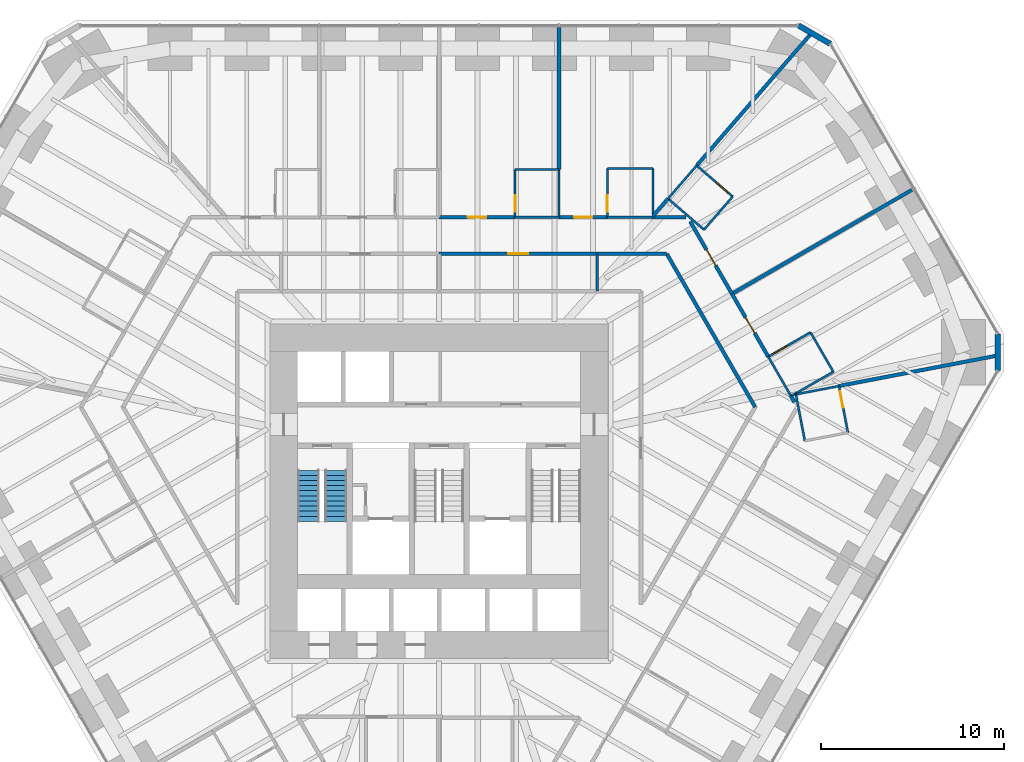
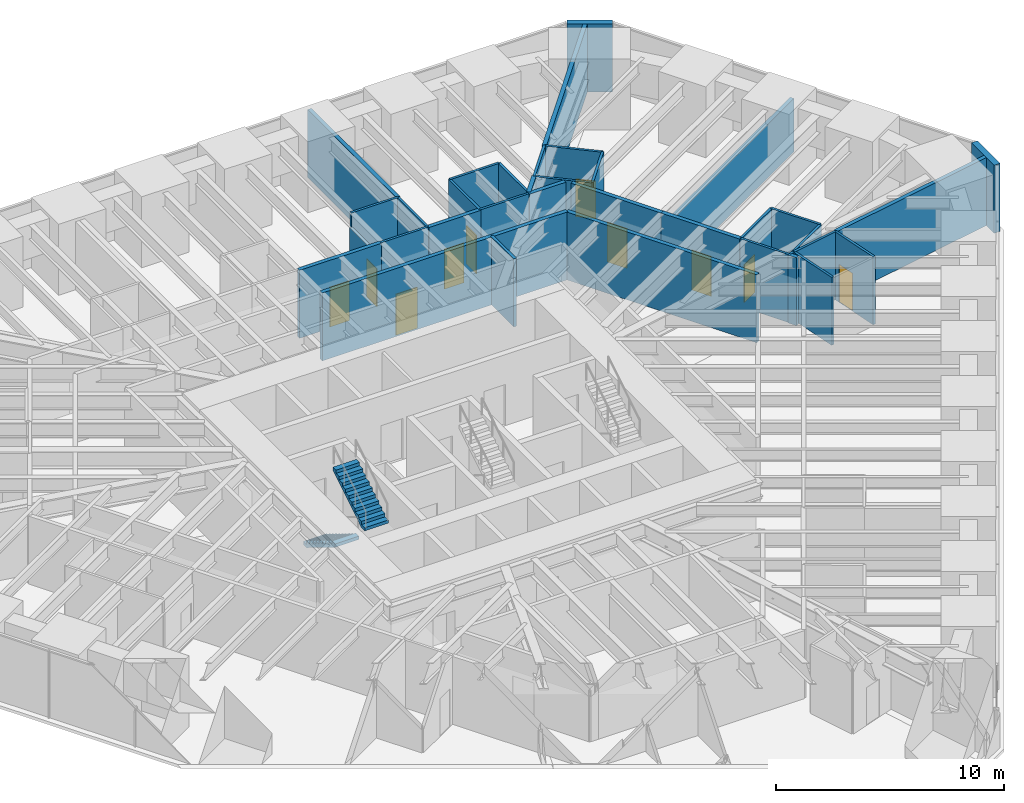
# One storey, part 15 of 17: 37 walls, 10 doors, 2 stair flights, 10 openings, 1 element without a shape of its own.
"""IFC4 building model written with IfcOpenShell, lengths in metres."""

import ifcopenshell
import ifcopenshell.guid

model = None  # the IFC model being written
_history = None  # IfcOwnerHistory: only IFC2X3 demands one
_inside = {}  # id of a spatial element -> (the spatial element, [elements in it])
_under = {}  # id of a project, library or spatial element -> (it, [spatial elements below it])
_declared = {}  # id of a project -> (the project, [libraries it declares])
_typed = {}  # id of a type object -> (the type object, [elements of that type])
_made_of = {}  # id of a material, layer set ... -> (it, [elements and type objects made of it])


def new_model(schema):
    """Start an empty IFC model of exactly this schema.

    Asked for "IFC4X3", IfcOpenShell would pick the latest addendum, in which some entities
    have other attributes; the version numbers below select the first issue.
    IFC2X3 requires an IfcOwnerHistory on every rooted entity: one is made here for all.
    """
    global model, _history
    if schema == "IFC4X3":
        model = ifcopenshell.file(schema_version=(4, 3, 0, 0))
    else:
        model = ifcopenshell.file(schema=schema)
    _inside.clear()
    _under.clear()
    _declared.clear()
    _typed.clear()
    _made_of.clear()
    _history = None
    if model.schema == "IFC2X3":
        org = make("IfcOrganization", Name="unknown")
        user = make(
            "IfcPersonAndOrganization",
            ThePerson=make("IfcPerson", FamilyName="unknown"),
            TheOrganization=org,
        )
        app = make(
            "IfcApplication",
            ApplicationDeveloper=org,
            Version="unknown",
            ApplicationFullName="unknown",
            ApplicationIdentifier="unknown",
        )
        _history = make(
            "IfcOwnerHistory",
            OwningUser=user,
            OwningApplication=app,
            ChangeAction="ADDED",
            CreationDate=0,
        )
    return model


def make(cls, **values):
    """One entity of the class cls with the attributes given. An attribute that is None is left unset."""
    return model.create_entity(
        cls, **{name: value for name, value in values.items() if value is not None}
    )


def rooted(cls, **values):
    """An entity with a GlobalId (a new one), such as an element, a storey or a relation."""
    return make(cls, GlobalId=ifcopenshell.guid.new(), OwnerHistory=_history, **values)


def si_unit(unit_type, name, prefix=None):
    """IfcSIUnit, for example si_unit("LENGTHUNIT", "METRE", prefix="MILLI")."""
    return make("IfcSIUnit", UnitType=unit_type, Prefix=prefix, Name=name)


def assignment(units):
    """IfcUnitAssignment: the units of a project."""
    return None if units is None else make("IfcUnitAssignment", Units=units)


def point(xyz):
    """IfcCartesianPoint."""
    return None if xyz is None else make("IfcCartesianPoint", Coordinates=xyz)


def direction(xyz):
    """IfcDirection."""
    return None if xyz is None else make("IfcDirection", DirectionRatios=xyz)


def frame(location, z_axis=None, x_axis=None):
    """IfcAxis2Placement3D, a coordinate frame: its origin and axes. An axis left out is left unset."""
    return make(
        "IfcAxis2Placement3D",
        Location=point(location),
        Axis=direction(z_axis),
        RefDirection=direction(x_axis),
    )


def frame_2d(location, x_axis=None):
    """IfcAxis2Placement2D, a coordinate frame in the plane: its origin and x axis."""
    return make(
        "IfcAxis2Placement2D", Location=point(location), RefDirection=direction(x_axis)
    )


def origin():
    """The frame at (0, 0, 0) with its axes left unset."""
    return frame((0.0, 0.0, 0.0))


def place(relative_to, where):
    """IfcLocalPlacement: puts the frame where relative to a parent placement (None: the world)."""
    return make(
        "IfcLocalPlacement", PlacementRelTo=relative_to, RelativePlacement=where
    )


def context(
    kind, dimensions, precision=None, world=None, true_north=None, identifier=None
):
    """IfcGeometricRepresentationContext, for example the 3D "Model" context."""
    return make(
        "IfcGeometricRepresentationContext",
        ContextIdentifier=identifier,
        ContextType=kind,
        CoordinateSpaceDimension=dimensions,
        Precision=precision,
        WorldCoordinateSystem=world,
        TrueNorth=true_north,
    )


def subcontext(parent, identifier, kind, view, scale=None):
    """IfcGeometricRepresentationSubContext, for example "Body" below "Model"."""
    return make(
        "IfcGeometricRepresentationSubContext",
        ContextIdentifier=identifier,
        ContextType=kind,
        ParentContext=parent,
        TargetScale=scale,
        TargetView=view,
    )


def project(units=None, contexts=None):
    """IfcProject with its units and contexts."""
    return rooted(
        "IfcProject",
        Name="project",
        RepresentationContexts=contexts,
        UnitsInContext=assignment(units),
    )


def spatial(cls, under=None, at=None, **own):
    """A site, building, storey or space (cls), placed at a placement, below another one or the project."""
    s = rooted(cls, ObjectPlacement=at, **own)
    if under is not None:
        _under.setdefault(under.id(), (under, []))[1].append(s)
    return s


def polyline(points):
    """IfcPolyline through the points."""
    return make("IfcPolyline", Points=[point(p) for p in points])


def profile(cls, at=None, kind="AREA", **sizes):
    """A parametric profile (cls). Its sizes go by their IFC names, for example OverallWidth=200.0."""
    return make(cls, ProfileType=kind, Position=at, **sizes)


def rectangle(**sizes):
    """IfcRectangleProfileDef."""
    return profile("IfcRectangleProfileDef", **sizes)


def outline(outer, holes=None, kind="AREA"):
    """IfcArbitraryClosedProfileDef: a profile drawn as a closed curve; with holes, ...WithVoids."""
    if holes is None:
        return make("IfcArbitraryClosedProfileDef", ProfileType=kind, OuterCurve=outer)
    return make(
        "IfcArbitraryProfileDefWithVoids",
        ProfileType=kind,
        OuterCurve=outer,
        InnerCurves=holes,
    )


def extrude(swept, where, along, depth):
    """IfcExtrudedAreaSolid: the profile swept, set in the frame where, extruded along a direction by depth."""
    return make(
        "IfcExtrudedAreaSolid",
        SweptArea=swept,
        Position=where,
        ExtrudedDirection=direction(along),
        Depth=depth,
    )


def shape(context_of_items, identifier, shape_type, items):
    """IfcShapeRepresentation: the items that make up one representation, for example the "Body"."""
    return make(
        "IfcShapeRepresentation",
        ContextOfItems=context_of_items,
        RepresentationIdentifier=identifier,
        RepresentationType=shape_type,
        Items=items,
    )


def material(Name=None, Category=None):
    """IfcMaterial."""
    return make("IfcMaterial", Name=Name, Category=Category)


def layer(
    of_material, thickness, ventilated=None, Name=None, Category=None, Priority=None
):
    """IfcMaterialLayer: one layer of a wall or slab, of a material (None: an air gap)."""
    return make(
        "IfcMaterialLayer",
        Material=of_material,
        LayerThickness=thickness,
        IsVentilated=ventilated,
        Name=Name,
        Category=Category,
        Priority=Priority,
    )


def layer_set(layers, Name=None):
    """IfcMaterialLayerSet."""
    return make("IfcMaterialLayerSet", MaterialLayers=layers, LayerSetName=Name)


def made_of(thing, what):
    """Note that an element or type object is made of a material, layer set ...; save() writes the relation."""
    if what is not None:
        _made_of.setdefault(what.id(), (what, []))[1].append(thing)
    return thing


def type_object(cls, material=None, **own):
    """A type object (cls), such as IfcWallType, which elements share."""
    return made_of(rooted(cls, **own), material)


def element(
    cls,
    number,
    at=None,
    inside=None,
    cuts=None,
    type_object=None,
    material=None,
    context=None,
    identifier="Body",
    shape_type=None,
    held_by="IfcProductDefinitionShape",
    body=None,
    shapes=None,
    **own,
):
    """One element of the class cls, such as IfcWall. Its Tag is "e" and its number.

    at: its placement. inside: the storey or other place that contains it. cuts: it is an
    opening in that element (IfcRelVoidsElement). A single representation is given by context,
    identifier, shape_type and body (its items); several are given by shapes. held_by: the class
    of the entity that holds the representations. save() writes the other relations.
    """
    e = rooted(cls, Tag="e%d" % number, ObjectPlacement=at, **own)
    if body is not None:
        shapes = [shape(context, identifier, shape_type, body)]
    if shapes is not None:
        e.Representation = make(held_by, Representations=shapes)
    if inside is not None:
        _inside.setdefault(inside.id(), (inside, []))[1].append(e)
    if cuts is not None:
        rooted(
            "IfcRelVoidsElement", RelatingBuildingElement=cuts, RelatedOpeningElement=e
        )
    if type_object is not None:
        _typed.setdefault(type_object.id(), (type_object, []))[1].append(e)
    return made_of(e, material)


def fill(opening, filler):
    """IfcRelFillsElement: the door or window that sits in an opening."""
    return rooted(
        "IfcRelFillsElement",
        RelatingOpeningElement=opening,
        RelatedBuildingElement=filler,
    )


def aggregate(whole, parts):
    """IfcRelAggregates: a whole, such as a stair, and the parts it consists of."""
    return rooted("IfcRelAggregates", RelatingObject=whole, RelatedObjects=parts)


def save(model, path):
    """Write the relations noted so far, then the file.

    IfcRelAggregates (storeys below a building ...), IfcRelContainedInSpatialStructure (elements
    in a storey), IfcRelDefinesByType, IfcRelAssociatesMaterial and IfcRelDeclares: one each for
    every whole, place, type object, material and project.
    """
    for whole, parts in _under.values():
        aggregate(whole, parts)
    for where, things in _inside.values():
        rooted(
            "IfcRelContainedInSpatialStructure",
            RelatedElements=things,
            RelatingStructure=where,
        )
    for kind, things in _typed.values():
        rooted("IfcRelDefinesByType", RelatedObjects=things, RelatingType=kind)
    for what, things in _made_of.values():
        rooted("IfcRelAssociatesMaterial", RelatedObjects=things, RelatingMaterial=what)
    for by, libraries in _declared.values():
        rooted("IfcRelDeclares", RelatingContext=by, RelatedDefinitions=libraries)
    model.write(path)


model = new_model("IFC4")

# Units and contexts
model_context = context("Model", 3, precision=1e-05, world=origin(), true_north=direction((0.0, 1.0)))
body_context = subcontext(model_context, "Body", "Model", "MODEL_VIEW")
ifc_project = project(units=[si_unit("LENGTHUNIT", "METRE"), si_unit("AREAUNIT", "SQUARE_METRE"), si_unit("VOLUMEUNIT", "CUBIC_METRE"), si_unit("PLANEANGLEUNIT", "RADIAN"), si_unit("MASSUNIT", "GRAM", prefix="KILO")], contexts=[model_context])

# Site, building, storey
site_placement = place(None, origin())
site = spatial("IfcSite", under=ifc_project, at=site_placement, CompositionType="ELEMENT")
building_placement = place(site_placement, origin())
building = spatial("IfcBuilding", under=site, at=building_placement, Name="Sandreach Pilgrim Tower", CompositionType="ELEMENT")
storey_placement = place(building_placement, frame((0.0, 0.0, 42.0)))
storey = spatial("IfcBuildingStorey", under=building, at=storey_placement, Name="L09", CompositionType="ELEMENT", Elevation=42.0)

# Wall
ifc_material_1 = material(Name="Gypsum board on steel studs", Category="steel")
ifc_layer_1 = layer(ifc_material_1, 0.14990234375)
ifc_layer_set_1 = layer_set([ifc_layer_1], Name="Back of house wall 150")
wall_type_1 = type_object("IfcWallType", Name="Back of house wall 150", PredefinedType="PARTITIONING", material=ifc_layer_set_1)
wall_1_placement = place(storey_placement, frame((8.64990234375, 11.449951171875, 0.0), z_axis=(0.0, 0.0, 1.0), x_axis=(0.0, -1.0, 0.0)))
element("IfcWall", 1, at=wall_1_placement, inside=storey, type_object=wall_type_1, Name="Back of house wall L09-094", PredefinedType="PARTITIONING", context=body_context, shape_type="SweptSolid", body=[
    extrude(rectangle(XDim=2.050048828125, YDim=0.14990234375, at=frame_2d((1.02490234375, 0.0))), origin(), (0.0, 0.0, 1.0), 3.639892578125),
])

# Wall, opening, door
ifc_material_2 = material(Name="Moisture-resistant gypsum board on steel studs", Category="steel")
ifc_layer_2 = layer(ifc_material_2, 0.1201171875)
ifc_layer_set_2 = layer_set([ifc_layer_2], Name="Bathroom partition 120")
wall_type_2 = type_object("IfcWallType", Name="Bathroom partition 120", PredefinedType="PARTITIONING", material=ifc_layer_set_2)
wall_2_placement = place(storey_placement, frame((4.159912109375, 16.070068359375, 0.0), z_axis=(0.0, 0.0, 1.0), x_axis=(0.0, -1.0, 0.0)))
wall_2 = element("IfcWall", 2, at=wall_2_placement, inside=storey, type_object=wall_type_2, Name="Bathroom partition L09-076", PredefinedType="PARTITIONING", context=body_context, shape_type="SweptSolid", body=[
    extrude(rectangle(XDim=2.6201171875, YDim=0.1201171875, at=frame_2d((1.31005859375, 0.0))), origin(), (0.0, 0.0, 1.0), 2.8779296875),
])
opening_1_placement = place(wall_2_placement, frame((1.419921875, 0.0, 0.0)))
opening_1 = element("IfcOpeningElement", 3, at=opening_1_placement, cuts=wall_2, Name="Opening D09-03B", PredefinedType="OPENING", context=body_context, shape_type="SweptSolid", body=[
    extrude(rectangle(XDim=0.89990234375, YDim=2.030029296875, at=frame_2d((0.449951171875, 1.01513671875))), frame((0.0, 0.06005859375, 0.0), z_axis=(0.0, -1.0, 0.0), x_axis=(1.0, 0.0, 0.0)), (0.0, 0.0, 1.0), 0.1201171875),
])
ifc_material_3 = material(Name="Timber door, steel frame", Category="steel")
door_type_1 = type_object("IfcDoorType", Name="Bathroom door", OperationType="SINGLE_SWING_LEFT", PredefinedType="DOOR", material=ifc_material_3)
door_1_placement = place(opening_1_placement, origin())
door_1 = element("IfcDoor", 4, at=door_1_placement, inside=storey, type_object=door_type_1, Name="Door 0903B", OperationType="SINGLE_SWING_RIGHT", OverallHeight=2.030029296875, OverallWidth=0.89990234375, PredefinedType="DOOR", context=body_context, shape_type="SweptSolid", body=[
    extrude(rectangle(XDim=0.89990234375, YDim=2.030029296875, at=frame_2d((0.449951171875, 1.01513671875))), frame((0.0, 0.02490234375, 0.0), z_axis=(0.0, -1.0, 0.0), x_axis=(1.0, 0.0, 0.0)), (0.0, 0.0, 1.0), 0.050048828125),
])
fill(opening_1, door_1)

# Walls
for number, where, z_axis, x_axis, name in (
    (5, (6.56005859375, 13.449951171875, 0.0), (0.0, 0.0, 1.0), (-1.0, 0.0, 0.0), "Bathroom partition L09-081"),
    (6, (6.56005859375, 16.070068359375, 0.0), (0.0, 0.0, 1.0), (-1.0, 0.0, 0.0), "Bathroom partition L09-082"),
):
    element("IfcWall", number, at=place(storey_placement, frame(where, z_axis=z_axis, x_axis=x_axis)), inside=storey, type_object=wall_type_2, Name=name, PredefinedType="PARTITIONING", context=body_context, shape_type="SweptSolid", body=[
        extrude(rectangle(XDim=2.400146484375, YDim=0.1201171875, at=frame_2d((1.2001953125, 0.0))), origin(), (0.0, 0.0, 1.0), 3.639892578125),
    ])
wall_3_placement = place(storey_placement, frame((6.56005859375, 16.070068359375, 0.0), z_axis=(0.0, 0.0, 1.0), x_axis=(0.0, -1.0, 0.0)))
element("IfcWall", 7, at=wall_3_placement, inside=storey, type_object=wall_type_2, Name="Bathroom partition L09-083", PredefinedType="PARTITIONING", context=body_context, shape_type="SweptSolid", body=[
    extrude(rectangle(XDim=2.6201171875, YDim=0.1201171875, at=frame_2d((1.31005859375, 0.0))), origin(), (0.0, 0.0, 1.0), 3.639892578125),
])

# Wall, opening, door
wall_4_placement = place(storey_placement, frame((9.2099609375, 16.1201171875, 0.0), z_axis=(0.0, 0.0, 1.0), x_axis=(0.0, -1.0, 0.0)))
wall_4 = element("IfcWall", 8, at=wall_4_placement, inside=storey, type_object=wall_type_2, Name="Bathroom partition L09-098", PredefinedType="PARTITIONING", context=body_context, shape_type="SweptSolid", body=[
    extrude(rectangle(XDim=2.670166015625, YDim=0.1201171875, at=frame_2d((1.3349609375, 0.0))), origin(), (0.0, 0.0, 1.0), 3.639892578125),
])
opening_2_placement = place(wall_4_placement, frame((1.469970703125, 0.0, 0.0)))
opening_2 = element("IfcOpeningElement", 9, at=opening_2_placement, cuts=wall_4, Name="Opening D09-04B", PredefinedType="OPENING", context=body_context, shape_type="SweptSolid", body=[
    extrude(rectangle(XDim=0.89990234375, YDim=2.030029296875, at=frame_2d((0.449951171875, 1.01513671875))), frame((0.0, 0.06005859375, 0.0), z_axis=(0.0, -1.0, 0.0), x_axis=(1.0, 0.0, 0.0)), (0.0, 0.0, 1.0), 0.1201171875),
])
door_2_placement = place(opening_2_placement, origin())
door_2 = element("IfcDoor", 10, at=door_2_placement, inside=storey, type_object=door_type_1, Name="Door 0904B", OperationType="SINGLE_SWING_RIGHT", OverallHeight=2.030029296875, OverallWidth=0.89990234375, PredefinedType="DOOR", context=body_context, shape_type="SweptSolid", body=[
    extrude(rectangle(XDim=0.89990234375, YDim=2.030029296875, at=frame_2d((0.449951171875, 1.01513671875))), frame((0.0, 0.02490234375, 0.0), z_axis=(0.0, -1.0, 0.0), x_axis=(1.0, 0.0, 0.0)), (0.0, 0.0, 1.0), 0.050048828125),
])
fill(opening_2, door_2)

# Walls
wall_5_placement = place(storey_placement, frame((11.64990234375, 13.449951171875, 0.0), z_axis=(0.0, 0.0, 1.0), x_axis=(-1.0, 0.0, 0.0)))
element("IfcWall", 11, at=wall_5_placement, inside=storey, type_object=wall_type_2, Name="Bathroom partition L09-105", PredefinedType="PARTITIONING", context=body_context, shape_type="SweptSolid", body=[
    extrude(rectangle(XDim=2.43994140625, YDim=0.1201171875, at=frame_2d((1.219970703125, 0.0))), origin(), (0.0, 0.0, 1.0), 3.639892578125),
])
wall_6_placement = place(storey_placement, frame((11.7099609375, 13.60498046875, 0.0), z_axis=(0.0, 0.0, 1.0), x_axis=(0.0, 1.0, 0.0)))
element("IfcWall", 12, at=wall_6_placement, inside=storey, type_object=wall_type_2, Name="Bathroom partition L09-106", PredefinedType="PARTITIONING", context=body_context, shape_type="SweptSolid", body=[
    extrude(rectangle(XDim=2.51513671875, YDim=0.1201171875, at=frame_2d((1.257568359375, 0.0))), origin(), (0.0, 0.0, 1.0), 3.639892578125),
])
wall_7_placement = place(storey_placement, frame((11.7099609375, 16.1201171875, 0.0), z_axis=(0.0, 0.0, 1.0), x_axis=(-1.0, 0.0, 0.0)))
element("IfcWall", 13, at=wall_7_placement, inside=storey, type_object=wall_type_2, Name="Bathroom partition L09-107", PredefinedType="PARTITIONING", context=body_context, shape_type="SweptSolid", body=[
    extrude(rectangle(XDim=2.5, YDim=0.1201171875, at=frame_2d((1.25, 0.0))), origin(), (0.0, 0.0, 1.0), 3.639892578125),
])
wall_8_placement = place(storey_placement, frame((12.530029296875, 14.469970703125, 0.0), z_axis=(0.0, 0.0, 1.0), x_axis=(0.655194291402, 0.755460416245, 0.0)))
element("IfcWall", 14, at=wall_8_placement, inside=storey, type_object=wall_type_2, Name="Bathroom partition L09-111", PredefinedType="PARTITIONING", context=body_context, shape_type="SweptSolid", body=[
    extrude(rectangle(XDim=2.39599609375, YDim=0.1201171875, at=frame_2d((1.197998046875, 0.0))), origin(), (0.0, 0.0, 1.0), 3.639892578125),
])
wall_9_placement = place(storey_placement, frame((12.530029296875, 14.469970703125, 0.0), z_axis=(0.0, 0.0, 1.0), x_axis=(0.757086659925, -0.653314464377, 0.0)))
element("IfcWall", 15, at=wall_9_placement, inside=storey, type_object=wall_type_2, Name="Bathroom partition L09-112", PredefinedType="PARTITIONING", context=body_context, shape_type="SweptSolid", body=[
    extrude(rectangle(XDim=2.60205078125, YDim=0.1201171875, at=frame_2d((1.301025390625, 0.0))), origin(), (0.0, 0.0, 1.0), 3.639892578125),
])
wall_10_placement = place(storey_placement, frame((14.5, 12.77001953125, 0.0), z_axis=(0.0, 0.0, 1.0), x_axis=(0.655252439976, 0.755409981338, 0.0)))
element("IfcWall", 16, at=wall_10_placement, inside=storey, type_object=wall_type_2, Name="Bathroom partition L09-117", PredefinedType="PARTITIONING", context=body_context, shape_type="SweptSolid", body=[
    extrude(rectangle(XDim=2.396240234375, YDim=0.1201171875, at=frame_2d((1.1982421875, 0.0))), origin(), (0.0, 0.0, 1.0), 3.639892578125),
])

# Wall, opening, door
wall_11_placement = place(storey_placement, frame((16.070068359375, 14.580078125, 0.0), z_axis=(0.0, 0.0, 1.0), x_axis=(-0.757086659925, 0.653314464377, 0.0)))
wall_11 = element("IfcWall", 17, at=wall_11_placement, inside=storey, type_object=wall_type_2, Name="Bathroom partition L09-119", PredefinedType="PARTITIONING", context=body_context, shape_type="SweptSolid", body=[
    extrude(rectangle(XDim=2.60205078125, YDim=0.1201171875, at=frame_2d((1.301025390625, 0.0))), origin(), (0.0, 0.0, 1.0), 3.639892578125),
])
opening_3_placement = place(wall_11_placement, frame((0.300048828125, 0.0, 0.0)))
opening_3 = element("IfcOpeningElement", 18, at=opening_3_placement, cuts=wall_11, Name="Opening D09-05B", PredefinedType="OPENING", context=body_context, shape_type="SweptSolid", body=[
    extrude(rectangle(XDim=0.89990234375, YDim=2.030029296875, at=frame_2d((0.449951171875, 1.01513671875))), frame((0.0, 0.06005859375, 0.0), z_axis=(0.0, -1.0, 0.0), x_axis=(1.0, 0.0, 0.0)), (0.0, 0.0, 1.0), 0.1201171875),
])
door_3_placement = place(opening_3_placement, origin())
door_3 = element("IfcDoor", 19, at=door_3_placement, inside=storey, type_object=door_type_1, Name="Door 0905B", OperationType="SINGLE_SWING_LEFT", OverallHeight=2.030029296875, OverallWidth=0.89990234375, PredefinedType="DOOR", context=body_context, shape_type="SweptSolid", body=[
    extrude(rectangle(XDim=0.89990234375, YDim=2.030029296875, at=frame_2d((0.449951171875, 1.01513671875))), frame((0.0, 0.02490234375, 0.0), z_axis=(0.0, -1.0, 0.0), x_axis=(1.0, 0.0, 0.0)), (0.0, 0.0, 1.0), 0.050048828125),
])
fill(opening_3, door_3)

# Walls
wall_12_placement = place(storey_placement, frame((18.017578125, 5.818603515625, 0.0), z_axis=(0.0, 0.0, 1.0), x_axis=(0.499757016066, -0.866165645181, 0.0)))
element("IfcWall", 20, at=wall_12_placement, inside=storey, type_object=wall_type_2, Name="Bathroom partition L09-123", PredefinedType="PARTITIONING", context=body_context, shape_type="SweptSolid", body=[
    extrude(rectangle(XDim=2.446044921875, YDim=0.1201171875, at=frame_2d((1.22314453125, 0.0))), origin(), (0.0, 0.0, 1.0), 3.639892578125),
])
wall_13_placement = place(storey_placement, frame((19.274169921875, 3.70703125, 0.0), z_axis=(0.0, 0.0, 1.0), x_axis=(0.979121116236, 0.203277740395, 0.0)))
element("IfcWall", 21, at=wall_13_placement, inside=storey, type_object=wall_type_2, Name="Bathroom partition L09-125", PredefinedType="PARTITIONING", context=body_context, shape_type="SweptSolid", body=[
    extrude(rectangle(XDim=0.216064453125, YDim=0.1201171875, at=frame_2d((0.10791015625, 0.0))), origin(), (0.0, 0.0, 1.0), 3.639892578125),
])
wall_14_placement = place(storey_placement, frame((19.409912109375, 3.739990234375, 0.0), z_axis=(0.0, 0.0, 1.0), x_axis=(0.86653430447, 0.499117520406, 0.0)))
element("IfcWall", 22, at=wall_14_placement, inside=storey, type_object=wall_type_2, Name="Bathroom partition L09-126", PredefinedType="PARTITIONING", context=body_context, shape_type="SweptSolid", body=[
    extrude(rectangle(XDim=2.50439453125, YDim=0.1201171875, at=frame_2d((1.252197265625, 0.0))), origin(), (0.0, 0.0, 1.0), 3.639892578125),
])
wall_15_placement = place(storey_placement, frame((19.530029296875, 3.760009765625, 0.0), z_axis=(0.0, 0.0, 1.0), x_axis=(0.188697442844, -0.982035271802, 0.0)))
element("IfcWall", 23, at=wall_15_placement, inside=storey, type_object=wall_type_2, Name="Bathroom partition L09-127", PredefinedType="PARTITIONING", context=body_context, shape_type="SweptSolid", body=[
    extrude(rectangle(XDim=2.5966796875, YDim=0.1201171875, at=frame_2d((1.29833984375, 0.0))), origin(), (0.0, 0.0, 1.0), 3.639892578125),
])
wall_16_placement = place(storey_placement, frame((19.530029296875, 3.760009765625, 0.0), z_axis=(0.0, 0.0, 1.0), x_axis=(0.982303859288, 0.187294228499, 0.0)))
element("IfcWall", 24, at=wall_16_placement, inside=storey, type_object=wall_type_2, Name="Bathroom partition L09-128", PredefinedType="PARTITIONING", context=body_context, shape_type="SweptSolid", body=[
    extrude(rectangle(XDim=2.40234375, YDim=0.1201171875, at=frame_2d((1.201171875, 0.0))), origin(), (0.0, 0.0, 1.0), 3.639892578125),
])

# Wall, opening, door
wall_17_placement = place(storey_placement, frame((20.330078125, 7.14990234375, 0.0), z_axis=(0.0, 0.0, 1.0), x_axis=(-0.866654860089, -0.498908161372, 0.0)))
wall_17 = element("IfcWall", 25, at=wall_17_placement, inside=storey, type_object=wall_type_2, Name="Bathroom partition L09-130", PredefinedType="PARTITIONING", context=body_context, shape_type="SweptSolid", body=[
    extrude(rectangle(XDim=2.66552734375, YDim=0.1201171875, at=frame_2d((1.332763671875, 0.0))), origin(), (0.0, 0.0, 1.0), 3.639892578125),
])
opening_4_placement = place(wall_17_placement, frame((1.465576171875, 0.0, 0.0)))
opening_4 = element("IfcOpeningElement", 26, at=opening_4_placement, cuts=wall_17, Name="Opening D09-06B", PredefinedType="OPENING", context=body_context, shape_type="SweptSolid", body=[
    extrude(rectangle(XDim=0.89990234375, YDim=2.030029296875, at=frame_2d((0.449951171875, 1.01513671875))), frame((0.0, 0.06005859375, 0.0), z_axis=(0.0, -1.0, 0.0), x_axis=(1.0, 0.0, 0.0)), (0.0, 0.0, 1.0), 0.1201171875),
])
door_4_placement = place(opening_4_placement, origin())
door_4 = element("IfcDoor", 27, at=door_4_placement, inside=storey, type_object=door_type_1, Name="Door 0906B", OperationType="SINGLE_SWING_RIGHT", OverallHeight=2.030029296875, OverallWidth=0.89990234375, PredefinedType="DOOR", context=body_context, shape_type="SweptSolid", body=[
    extrude(rectangle(XDim=0.89990234375, YDim=2.030029296875, at=frame_2d((0.449951171875, 1.01513671875))), frame((0.0, 0.02490234375, 0.0), z_axis=(0.0, -1.0, 0.0), x_axis=(1.0, 0.0, 0.0)), (0.0, 0.0, 1.0), 0.050048828125),
])
fill(opening_4, door_4)

# Wall
wall_18_placement = place(storey_placement, frame((21.580078125, 4.989990234375, 0.0), z_axis=(0.0, 0.0, 1.0), x_axis=(-0.500893576935, 0.865508881864, 0.0)))
element("IfcWall", 28, at=wall_18_placement, inside=storey, type_object=wall_type_2, Name="Bathroom partition L09-131", PredefinedType="PARTITIONING", context=body_context, shape_type="SweptSolid", body=[
    extrude(rectangle(XDim=2.49560546875, YDim=0.1201171875, at=frame_2d((1.247802734375, 0.0))), origin(), (0.0, 0.0, 1.0), 3.639892578125),
])

# Wall, opening, door
wall_19_placement = place(storey_placement, frame((22.3798828125, 1.659912109375, 0.0), z_axis=(0.0, 0.0, 1.0), x_axis=(-0.188697442844, 0.982035271802, 0.0)))
wall_19 = element("IfcWall", 29, at=wall_19_placement, inside=storey, type_object=wall_type_2, Name="Bathroom partition L09-133", PredefinedType="PARTITIONING", context=body_context, shape_type="SweptSolid", body=[
    extrude(rectangle(XDim=2.5966796875, YDim=0.1201171875, at=frame_2d((1.29833984375, 0.0))), origin(), (0.0, 0.0, 1.0), 3.639892578125),
])
opening_5_placement = place(wall_19_placement, frame((1.396728515625, 0.0, 0.0)))
opening_5 = element("IfcOpeningElement", 30, at=opening_5_placement, cuts=wall_19, Name="Opening D09-07B", PredefinedType="OPENING", context=body_context, shape_type="SweptSolid", body=[
    extrude(rectangle(XDim=0.89990234375, YDim=2.030029296875, at=frame_2d((0.449951171875, 1.01513671875))), frame((0.0, 0.06005859375, 0.0), z_axis=(0.0, -1.0, 0.0), x_axis=(1.0, 0.0, 0.0)), (0.0, 0.0, 1.0), 0.1201171875),
])
door_5_placement = place(opening_5_placement, origin())
door_5 = element("IfcDoor", 31, at=door_5_placement, inside=storey, type_object=door_type_1, Name="Door 0907B", OperationType="SINGLE_SWING_RIGHT", OverallHeight=2.030029296875, OverallWidth=0.89990234375, PredefinedType="DOOR", context=body_context, shape_type="SweptSolid", body=[
    extrude(rectangle(XDim=0.89990234375, YDim=2.030029296875, at=frame_2d((0.449951171875, 1.01513671875))), frame((0.0, 0.02490234375, 0.0), z_axis=(0.0, -1.0, 0.0), x_axis=(1.0, 0.0, 0.0)), (0.0, 0.0, 1.0), 0.050048828125),
])
fill(opening_5, door_5)

ifc_material_4 = material(Name="Gypsum board on steel studs, two layers each side", Category="steel")
ifc_layer_3 = layer(ifc_material_4, 0.199951171875)
ifc_layer_set_3 = layer_set([ifc_layer_3], Name="Corridor wall 200")
wall_type_3 = type_object("IfcWallType", Name="Corridor wall 200", PredefinedType="PARTITIONING", material=ifc_layer_set_3)
wall_20_placement = place(storey_placement, frame((0.0, 11.449951171875, 0.0), z_axis=(0.0, 0.0, 1.0), x_axis=(1.0, 0.0, 0.0)))
wall_20 = element("IfcWall", 32, at=wall_20_placement, inside=storey, type_object=wall_type_3, Name="Corridor wall L09-065", PredefinedType="PARTITIONING", context=body_context, shape_type="SweptSolid", body=[
    extrude(rectangle(XDim=8.64990234375, YDim=0.199951171875, at=frame_2d((4.324951171875, 0.0))), origin(), (0.0, 0.0, 1.0), 3.639892578125),
])
opening_6_placement = place(wall_20_placement, frame((3.77490234375, 0.0, 0.0)))
opening_6 = element("IfcOpeningElement", 33, at=opening_6_placement, cuts=wall_20, Name="Opening D11H-M03", PredefinedType="OPENING", context=body_context, shape_type="SweptSolid", body=[
    extrude(rectangle(XDim=1.10009765625, YDim=2.199951171875, at=frame_2d((0.550048828125, 1.10009765625))), frame((0.0, 0.10009765625, 0.0), z_axis=(0.0, -1.0, 0.0), x_axis=(1.0, 0.0, 0.0)), (0.0, 0.0, 1.0), 0.199951171875),
])
ifc_material_5 = material(Name="Steel door and frame", Category="steel")
door_type_2 = type_object("IfcDoorType", Name="Back of house door", OperationType="SINGLE_SWING_LEFT", PredefinedType="DOOR", material=ifc_material_5)
door_6_placement = place(opening_6_placement, origin())
door_6 = element("IfcDoor", 34, at=door_6_placement, inside=storey, type_object=door_type_2, Name="Door 09M03", OperationType="SINGLE_SWING_LEFT", OverallHeight=2.199951171875, OverallWidth=1.10009765625, PredefinedType="DOOR", context=body_context, shape_type="SweptSolid", body=[
    extrude(rectangle(XDim=1.10009765625, YDim=2.199951171875, at=frame_2d((0.550048828125, 1.10009765625))), frame((0.0, 0.02490234375, 0.0), z_axis=(0.0, -1.0, 0.0), x_axis=(1.0, 0.0, 0.0)), (0.0, 0.0, 1.0), 0.050048828125),
])
fill(opening_6, door_6)

wall_21_placement = place(storey_placement, frame((4.159912109375, 13.449951171875, 0.0), z_axis=(0.0, 0.0, 1.0), x_axis=(-1.0, 0.0, 0.0)))
wall_21 = element("IfcWall", 35, at=wall_21_placement, inside=storey, type_object=wall_type_3, Name="Corridor wall L09-075", PredefinedType="PARTITIONING", context=body_context, shape_type="SweptSolid", body=[
    extrude(rectangle(XDim=4.159912109375, YDim=0.199951171875, at=frame_2d((2.080078125, 0.0))), origin(), (0.0, 0.0, 1.0), 3.639892578125),
])
opening_7_placement = place(wall_21_placement, frame((1.580078125, 0.0, 0.0)))
opening_7 = element("IfcOpeningElement", 36, at=opening_7_placement, cuts=wall_21, Name="Opening D10-03", PredefinedType="OPENING", context=body_context, shape_type="SweptSolid", body=[
    extrude(rectangle(XDim=1.0, YDim=2.1298828125, at=frame_2d((0.5, 1.06494140625))), frame((0.0, 0.10009765625, 0.0), z_axis=(0.0, -1.0, 0.0), x_axis=(1.0, 0.0, 0.0)), (0.0, 0.0, 1.0), 0.199951171875),
])
ifc_material_6 = material(Name="Steel door and frame", Category="steel")
door_type_3 = type_object("IfcDoorType", Name="Guest room entry door", OperationType="SINGLE_SWING_LEFT", PredefinedType="DOOR", material=ifc_material_6)
door_7_placement = place(opening_7_placement, origin())
door_7 = element("IfcDoor", 37, at=door_7_placement, inside=storey, type_object=door_type_3, Name="Door 0903", OperationType="SINGLE_SWING_LEFT", OverallHeight=2.1298828125, OverallWidth=1.0, PredefinedType="DOOR", context=body_context, shape_type="SweptSolid", body=[
    extrude(rectangle(XDim=1.0, YDim=2.1298828125, at=frame_2d((0.5, 1.06494140625))), frame((0.0, 0.02490234375, 0.0), z_axis=(0.0, -1.0, 0.0), x_axis=(1.0, 0.0, 0.0)), (0.0, 0.0, 1.0), 0.050048828125),
])
fill(opening_7, door_7)

# Wall
wall_22_placement = place(storey_placement, frame((8.64990234375, 11.449951171875, 0.0), z_axis=(0.0, 0.0, 1.0), x_axis=(1.0, 0.0, 0.0)))
element("IfcWall", 38, at=wall_22_placement, inside=storey, type_object=wall_type_3, Name="Corridor wall L09-095", PredefinedType="PARTITIONING", context=body_context, shape_type="SweptSolid", body=[
    extrude(rectangle(XDim=3.81005859375, YDim=0.199951171875, at=frame_2d((1.905029296875, 0.0))), origin(), (0.0, 0.0, 1.0), 3.639892578125),
])

# Wall, opening, door
wall_23_placement = place(storey_placement, frame((9.2099609375, 13.449951171875, 0.0), z_axis=(0.0, 0.0, 1.0), x_axis=(-1.0, 0.0, 0.0)))
wall_23 = element("IfcWall", 39, at=wall_23_placement, inside=storey, type_object=wall_type_3, Name="Corridor wall L09-097", PredefinedType="PARTITIONING", context=body_context, shape_type="SweptSolid", body=[
    extrude(rectangle(XDim=2.64990234375, YDim=0.199951171875, at=frame_2d((1.324951171875, 0.0))), origin(), (0.0, 0.0, 1.0), 3.639892578125),
])
opening_8_placement = place(wall_23_placement, frame((0.824951171875, 0.0, 0.0)))
opening_8 = element("IfcOpeningElement", 40, at=opening_8_placement, cuts=wall_23, Name="Opening D10-04", PredefinedType="OPENING", context=body_context, shape_type="SweptSolid", body=[
    extrude(rectangle(XDim=1.0, YDim=2.1298828125, at=frame_2d((0.5, 1.06494140625))), frame((0.0, 0.10009765625, 0.0), z_axis=(0.0, -1.0, 0.0), x_axis=(1.0, 0.0, 0.0)), (0.0, 0.0, 1.0), 0.199951171875),
])
door_8_placement = place(opening_8_placement, origin())
door_8 = element("IfcDoor", 41, at=door_8_placement, inside=storey, type_object=door_type_3, Name="Door 0904", OperationType="SINGLE_SWING_LEFT", OverallHeight=2.1298828125, OverallWidth=1.0, PredefinedType="DOOR", context=body_context, shape_type="SweptSolid", body=[
    extrude(rectangle(XDim=1.0, YDim=2.1298828125, at=frame_2d((0.5, 1.06494140625))), frame((0.0, 0.02490234375, 0.0), z_axis=(0.0, -1.0, 0.0), x_axis=(1.0, 0.0, 0.0)), (0.0, 0.0, 1.0), 0.050048828125),
])
fill(opening_8, door_8)

# Walls
wall_24_placement = place(storey_placement, frame((12.4599609375, 11.449951171875, 0.0), z_axis=(0.0, 0.0, 1.0), x_axis=(0.499704269421, -0.866196076603, 0.0)))
element("IfcWall", 42, at=wall_24_placement, inside=storey, type_object=wall_type_3, Name="Corridor wall L09-110", PredefinedType="PARTITIONING", context=body_context, shape_type="SweptSolid", body=[
    extrude(rectangle(XDim=9.685791015625, YDim=0.199951171875, at=frame_2d((4.8427734375, 0.0))), origin(), (0.0, 0.0, 1.0), 3.639892578125),
])
wall_25_placement = place(storey_placement, frame((13.5048828125, 13.449951171875, 0.0), z_axis=(0.0, 0.0, 1.0), x_axis=(-1.0, 0.0, 0.0)))
element("IfcWall", 43, at=wall_25_placement, inside=storey, type_object=wall_type_3, Name="Corridor wall L09-113", PredefinedType="PARTITIONING", context=body_context, shape_type="SweptSolid", body=[
    extrude(rectangle(XDim=1.85498046875, YDim=0.199951171875, at=frame_2d((0.927490234375, 0.0))), origin(), (0.0, 0.0, 1.0), 3.639892578125),
])

# Wall, opening, door
wall_26_placement = place(storey_placement, frame((13.742431640625, 13.220458984375, 0.0), z_axis=(0.0, 0.0, 1.0), x_axis=(0.500169095125, -0.865927754655, 0.0)))
wall_26 = element("IfcWall", 44, at=wall_26_placement, inside=storey, type_object=wall_type_3, Name="Corridor wall L09-115", PredefinedType="PARTITIONING", context=body_context, shape_type="SweptSolid", body=[
    extrude(rectangle(XDim=4.57373046875, YDim=0.199951171875, at=frame_2d((2.286865234375, 0.0))), origin(), (0.0, 0.0, 1.0), 3.639892578125),
])
opening_9_placement = place(wall_26_placement, frame((1.786865234375, 0.0, 0.0)))
opening_9 = element("IfcOpeningElement", 45, at=opening_9_placement, cuts=wall_26, Name="Opening D10-05", PredefinedType="OPENING", context=body_context, shape_type="SweptSolid", body=[
    extrude(rectangle(XDim=1.0, YDim=2.1298828125, at=frame_2d((0.5, 1.06494140625))), frame((0.0, 0.10009765625, 0.0), z_axis=(0.0, -1.0, 0.0), x_axis=(1.0, 0.0, 0.0)), (0.0, 0.0, 1.0), 0.199951171875),
])
door_9_placement = place(opening_9_placement, origin())
door_9 = element("IfcDoor", 46, at=door_9_placement, inside=storey, type_object=door_type_3, Name="Door 0905", OperationType="SINGLE_SWING_LEFT", OverallHeight=2.1298828125, OverallWidth=1.0, PredefinedType="DOOR", context=body_context, shape_type="SweptSolid", body=[
    extrude(rectangle(XDim=1.0, YDim=2.1298828125, at=frame_2d((0.5, 1.06494140625))), frame((0.0, 0.02490234375, 0.0), z_axis=(0.0, -1.0, 0.0), x_axis=(1.0, 0.0, 0.0)), (0.0, 0.0, 1.0), 0.050048828125),
])
fill(opening_9, door_9)

wall_27_placement = place(storey_placement, frame((16.030029296875, 9.260009765625, 0.0), z_axis=(0.0, 0.0, 1.0), x_axis=(0.500123041693, -0.865954353975, 0.0)))
wall_27 = element("IfcWall", 47, at=wall_27_placement, inside=storey, type_object=wall_type_3, Name="Corridor wall L09-118", PredefinedType="PARTITIONING", context=body_context, shape_type="SweptSolid", body=[
    extrude(rectangle(XDim=3.97412109375, YDim=0.199951171875, at=frame_2d((1.987060546875, 0.0))), origin(), (0.0, 0.0, 1.0), 3.639892578125),
])
opening_10_placement = place(wall_27_placement, frame((1.487060546875, 0.0, 0.0)))
opening_10 = element("IfcOpeningElement", 48, at=opening_10_placement, cuts=wall_27, Name="Opening D10-06", PredefinedType="OPENING", context=body_context, shape_type="SweptSolid", body=[
    extrude(rectangle(XDim=1.0, YDim=2.1298828125, at=frame_2d((0.5, 1.06494140625))), frame((0.0, 0.10009765625, 0.0), z_axis=(0.0, -1.0, 0.0), x_axis=(1.0, 0.0, 0.0)), (0.0, 0.0, 1.0), 0.199951171875),
])
door_10_placement = place(opening_10_placement, origin())
door_10 = element("IfcDoor", 49, at=door_10_placement, inside=storey, type_object=door_type_3, Name="Door 0906", OperationType="SINGLE_SWING_LEFT", OverallHeight=2.1298828125, OverallWidth=1.0, PredefinedType="DOOR", context=body_context, shape_type="SweptSolid", body=[
    extrude(rectangle(XDim=1.0, YDim=2.1298828125, at=frame_2d((0.5, 1.06494140625))), frame((0.0, 0.02490234375, 0.0), z_axis=(0.0, -1.0, 0.0), x_axis=(1.0, 0.0, 0.0)), (0.0, 0.0, 1.0), 0.050048828125),
])
fill(opening_10, door_10)

# Walls
wall_28_placement = place(storey_placement, frame((19.239990234375, 3.699951171875, 0.0), z_axis=(0.0, 0.0, 1.0), x_axis=(0.500371262739, -0.865810949009, 0.0)))
element("IfcWall", 50, at=wall_28_placement, inside=storey, type_object=wall_type_3, Name="Corridor wall L09-124", PredefinedType="PARTITIONING", context=body_context, shape_type="SweptSolid", body=[
    extrude(rectangle(XDim=0.434326171875, YDim=0.199951171875, at=frame_2d((0.21728515625, 0.0))), origin(), (0.0, 0.0, 1.0), 3.639892578125),
])
ifc_material_7 = material(Name="Double steel stud acoustic wall, gypsum board", Category="steel")
ifc_layer_4 = layer(ifc_material_7, 0.199951171875)
ifc_layer_set_4 = layer_set([ifc_layer_4], Name="Party wall 200")
wall_type_4 = type_object("IfcWallType", Name="Party wall 200", PredefinedType="PARTITIONING", material=ifc_layer_set_4)
wall_29_placement = place(storey_placement, frame((6.56005859375, 23.830078125, 0.0), z_axis=(0.0, 0.0, 1.0), x_axis=(0.0, -1.0, 0.0)))
element("IfcWall", 51, at=wall_29_placement, inside=storey, type_object=wall_type_4, Name="Party wall L09-084", PredefinedType="PARTITIONING", context=body_context, shape_type="SweptSolid", body=[
    extrude(rectangle(XDim=7.760009765625, YDim=0.199951171875, at=frame_2d((3.8798828125, 0.0))), origin(), (0.0, 0.0, 1.0), 3.639892578125),
])
wall_30_placement = place(storey_placement, frame((11.715087890625, 13.525634765625, 0.0), z_axis=(0.0, 0.0, 1.0), x_axis=(0.653334457224, 0.757069406993, 0.0)))
element("IfcWall", 52, at=wall_30_placement, inside=storey, type_object=wall_type_4, Name="Party wall L09-108", PredefinedType="PARTITIONING", context=body_context, shape_type="SweptSolid", body=[
    extrude(rectangle(XDim=1.247314453125, YDim=0.199951171875, at=frame_2d((0.62353515625, 0.0))), origin(), (0.0, 0.0, 1.0), 3.639892578125),
])
wall_31_placement = place(storey_placement, frame((14.10009765625, 16.280029296875, 0.0), z_axis=(0.0, 0.0, 1.0), x_axis=(0.655045529498, 0.755589408531, 0.0)))
element("IfcWall", 53, at=wall_31_placement, inside=storey, type_object=wall_type_4, Name="Party wall L09-116", PredefinedType="PARTITIONING", context=body_context, shape_type="SweptSolid", body=[
    extrude(rectangle(XDim=9.6181640625, YDim=0.199951171875, at=frame_2d((4.80908203125, 0.0))), origin(), (0.0, 0.0, 1.0), 3.639892578125),
])
wall_32_placement = place(storey_placement, frame((21.88916015625, 4.214599609375, 0.0), z_axis=(0.0, 0.0, 1.0), x_axis=(0.982083212717, 0.188447773401, 0.0)))
element("IfcWall", 54, at=wall_32_placement, inside=storey, type_object=wall_type_4, Name="Party wall L09-132", PredefinedType="PARTITIONING", context=body_context, shape_type="SweptSolid", body=[
    extrude(rectangle(XDim=8.860107421875, YDim=0.199951171875, at=frame_2d((4.43017578125, 0.0))), origin(), (0.0, 0.0, 1.0), 3.639892578125),
])
wall_33_placement = place(storey_placement, frame((25.885986328125, 14.949951171875, 0.0), z_axis=(0.0, 0.0, 1.0), x_axis=(-0.86604429266, -0.499967282081, 0.0)))
element("IfcWall", 55, at=wall_33_placement, inside=storey, type_object=wall_type_4, Name="Party wall L09-135", PredefinedType="PARTITIONING", context=body_context, shape_type="SweptSolid", body=[
    extrude(rectangle(XDim=11.365478515625, YDim=0.199951171875, at=frame_2d((5.6826171875, 0.0))), origin(), (0.0, 0.0, 1.0), 2.860107421875),
])
ifc_material_8 = material(Name="Terracotta rainscreen on concrete", Category="masonry")
ifc_layer_5 = layer(ifc_material_8, 0.300048828125)
ifc_layer_set_5 = layer_set([ifc_layer_5], Name="Terracotta chamfer pier")
wall_type_5 = type_object("IfcWallType", Name="Terracotta chamfer pier", PredefinedType="SOLIDWALL", material=ifc_layer_set_5)
for number, where, z_axis, x_axis, name in (
    (56, (19.672119140625, 23.94873046875, 0.0), (0.0, 0.0, 1.0), (0.866010750942, -0.50002537861, 0.0), "Chamfer pier L09 N"),
    (57, (30.576171875, 7.062255859375, 0.0), (0.0, 0.0, 1.0), (0.0, -1.0, 0.0), "Chamfer pier L09 NE"),
):
    element("IfcWall", number, at=place(storey_placement, frame(where, z_axis=z_axis, x_axis=x_axis)), inside=storey, type_object=wall_type_5, Name=name, PredefinedType="SOLIDWALL", context=body_context, shape_type="SweptSolid", body=[
        extrude(rectangle(XDim=2.0, YDim=0.300048828125, at=frame_2d((1.0, 0.0))), origin(), (0.0, 0.0, 1.0), 3.639892578125),
    ])

# Stair, stair flights
ifc_material_9 = material(Name="Concrete 8000 psi", Category="concrete")
stair_type = type_object("IfcStairType", Name="Core exit stair", PredefinedType="HALF_TURN_STAIR", material=ifc_material_9)
stair_placement = place(storey_placement, origin())
stair = element("IfcStair", 58, at=stair_placement, inside=storey, type_object=stair_type, Name="Exit stair ST1 L09", PredefinedType="HALF_TURN_STAIR")
ifc_material_10 = material(Name="Concrete 8000 psi", Category="concrete")
stair_flight_type = type_object("IfcStairFlightType", Name="Core stair flight 1200", PredefinedType="STRAIGHT", material=ifc_material_10)
stair_flight_1_placement = place(storey_placement, frame((-7.14990234375, -0.39990234375, 0.0), z_axis=(0.0, 0.0, 1.0), x_axis=(0.0, -1.0, 0.0)))
stair_flight_1 = element("IfcStairFlight", 59, at=stair_flight_1_placement, type_object=stair_flight_type, Name="ST1 flight 1", NumberOfRisers=11, NumberOfTreads=10, PredefinedType="STRAIGHT", RiserHeight=0.172727273, TreadLength=0.28, context=body_context, shape_type="SweptSolid", body=[
    extrude(outline(polyline([(0.0, 0.0), (0.0, 0.172607421875), (0.280029296875, 0.172607421875), (0.280029296875, 0.345458984375), (0.56005859375, 0.345458984375), (0.56005859375, 0.51806640625), (0.840087890625, 0.51806640625), (0.840087890625, 0.69091796875), (1.1201171875, 0.69091796875), (1.1201171875, 0.863525390625), (1.39990234375, 0.863525390625), (1.39990234375, 1.036376953125), (1.679931640625, 1.036376953125), (1.679931640625, 1.208984375), (1.9599609375, 1.208984375), (1.9599609375, 1.3818359375), (2.239990234375, 1.3818359375), (2.239990234375, 1.554443359375), (2.52001953125, 1.554443359375), (2.52001953125, 1.727294921875), (2.800048828125, 1.727294921875), (2.800048828125, 1.89990234375), (2.800048828125, 1.551025390625), (0.285400390625, 0.0), (0.0, 0.0)])), frame((0.0, 0.60009765625, 0.0), z_axis=(0.0, -1.0, 0.0), x_axis=(1.0, 0.0, 0.0)), (0.0, 0.0, 1.0), 1.199951171875),
])
stair_flight_2_placement = place(storey_placement, frame((-5.64990234375, -3.199951171875, 1.89990234375), z_axis=(0.0, 0.0, 1.0), x_axis=(0.0, 1.0, 0.0)))
stair_flight_2 = element("IfcStairFlight", 60, at=stair_flight_2_placement, type_object=stair_flight_type, Name="ST1 flight 2", NumberOfRisers=11, NumberOfTreads=10, PredefinedType="STRAIGHT", RiserHeight=0.172727273, TreadLength=0.28, context=body_context, shape_type="SweptSolid", body=[
    extrude(outline(polyline([(0.0, 0.0), (0.0, 0.172607421875), (0.280029296875, 0.172607421875), (0.280029296875, 0.345458984375), (0.56005859375, 0.345458984375), (0.56005859375, 0.51806640625), (0.840087890625, 0.51806640625), (0.840087890625, 0.69091796875), (1.1201171875, 0.69091796875), (1.1201171875, 0.863525390625), (1.39990234375, 0.863525390625), (1.39990234375, 1.036376953125), (1.679931640625, 1.036376953125), (1.679931640625, 1.208984375), (1.9599609375, 1.208984375), (1.9599609375, 1.3818359375), (2.239990234375, 1.3818359375), (2.239990234375, 1.554443359375), (2.52001953125, 1.554443359375), (2.52001953125, 1.727294921875), (2.800048828125, 1.727294921875), (2.800048828125, 1.89990234375), (2.800048828125, 1.551025390625), (0.285400390625, 0.0), (0.0, 0.0)])), frame((0.0, 0.60009765625, 0.0), z_axis=(0.0, -1.0, 0.0), x_axis=(1.0, 0.0, 0.0)), (0.0, 0.0, 1.0), 1.199951171875),
])
aggregate(stair, [stair_flight_1, stair_flight_2])

save(model, "model.ifc")
